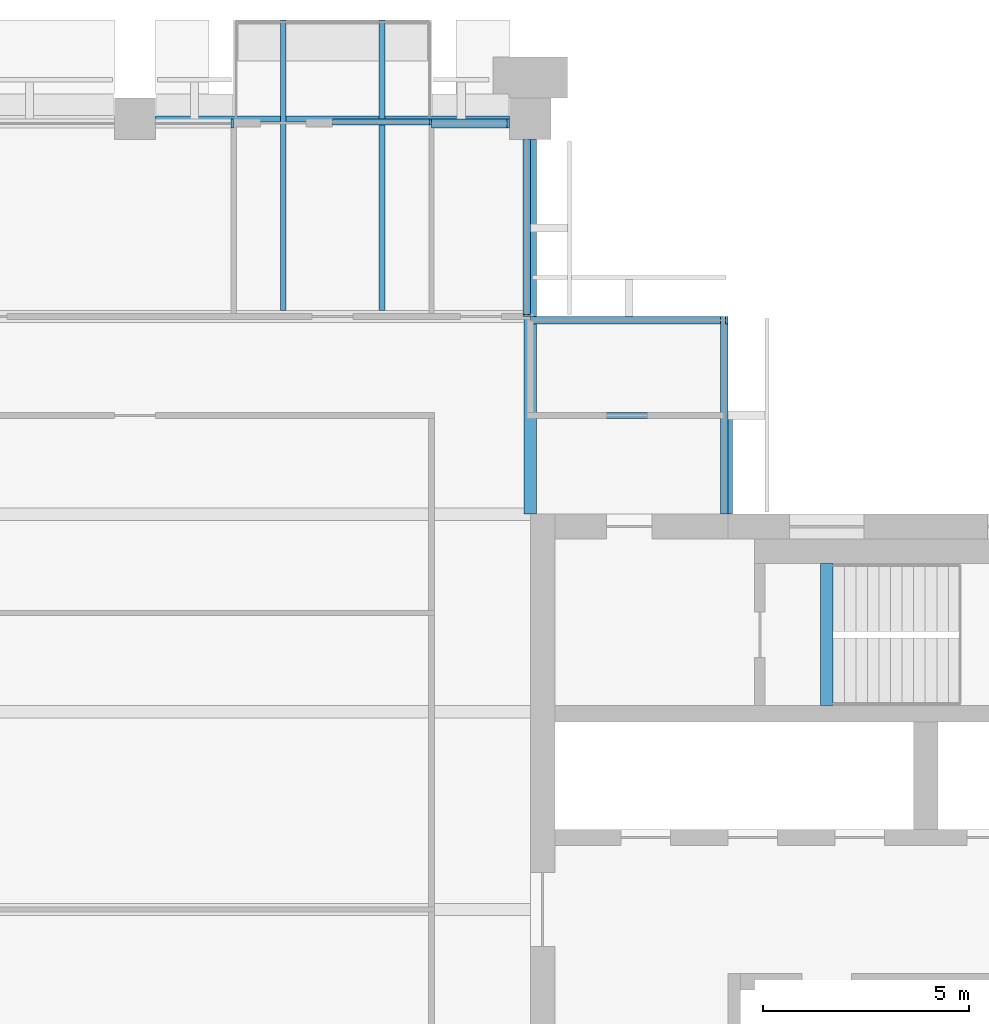
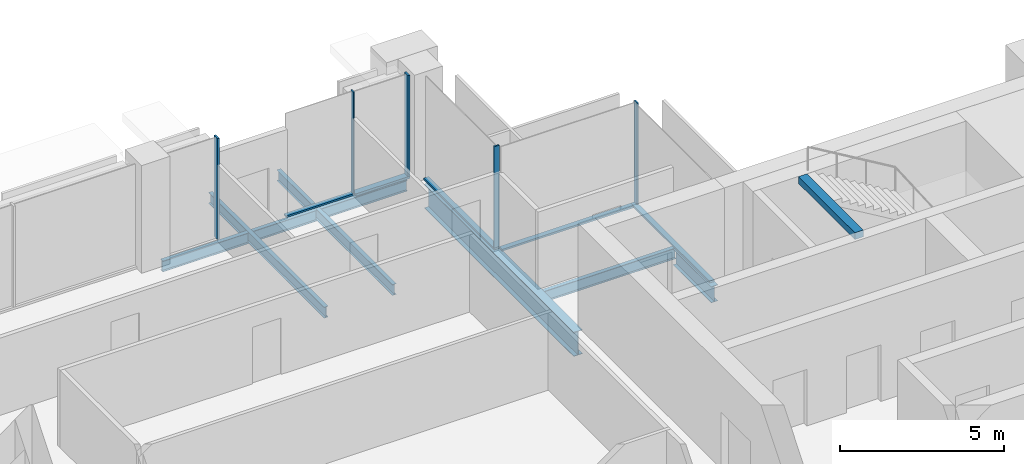
# One storey, part 6 of 13: 10 members, 9 beams, 6 elements without a shape of their own.
"""IFC4 building model written with IfcOpenShell, lengths in metres."""

from ifc_helpers import new_model, si_unit, direction, frame, origin, origin_2d, place, context, subcontext, project, spatial, rectangle, i_section, extrude, material, material_profile, profile_set, type_object, element, aggregate, save


model = new_model("IFC4")

# Units and contexts
model_context = context("Model", 3, precision=1e-05, world=origin(), true_north=direction((0.0, 1.0)))
body_context = subcontext(model_context, "Body", "Model", "MODEL_VIEW")
ifc_project = project(units=[si_unit("LENGTHUNIT", "METRE"), si_unit("AREAUNIT", "SQUARE_METRE"), si_unit("VOLUMEUNIT", "CUBIC_METRE"), si_unit("PLANEANGLEUNIT", "RADIAN"), si_unit("MASSUNIT", "GRAM", prefix="KILO")], contexts=[model_context])

# Site, building, storey
site_placement = place(None, origin())
site = spatial("IfcSite", under=ifc_project, at=site_placement, CompositionType="ELEMENT")
building_placement = place(site_placement, origin())
building = spatial("IfcBuilding", under=site, at=building_placement, Name="Baori Bourse Tower", CompositionType="ELEMENT")
storey_placement = place(building_placement, frame((0.0, 0.0, 326.300048828125)))
storey = spatial("IfcBuildingStorey", under=building, at=storey_placement, Name="L72", CompositionType="ELEMENT", Elevation=326.300048828125)

# Beams
ifc_material_1 = material(Name="Steel A992 Gr 50", Category="steel")
ifc_material_profile_1 = material_profile(ifc_material_1, i_section(OverallWidth=0.140380859375, OverallDepth=0.40380859375, WebThickness=0.007080078125, FlangeThickness=0.01123046875, at=origin_2d()), Name="W16x31")
ifc_profile_set_1 = profile_set([ifc_material_profile_1], Name="Steel A992 Gr 50")
beam_type_1 = type_object("IfcBeamType", Name="Balcony beam W16x31", PredefinedType="BEAM", material=ifc_profile_set_1)
for number, where, z_axis, x_axis, name in (
    (1, (32.39990234375, 50.39990234375, -0.362060546875), (0.0, -1.0, 0.0), (1.0, 0.0, 0.0), "Balcony beam L72"),
    (2, (34.800048828125, 50.39990234375, -0.362060546875), (0.0, -1.0, 0.0), (1.0, 0.0, 0.0), "Balcony beam L72"),
):
    element("IfcBeam", number, at=place(storey_placement, frame(where, z_axis=z_axis, x_axis=x_axis)), inside=storey, type_object=beam_type_1, Name=name, PredefinedType="BEAM", context=body_context, shape_type="SweptSolid", body=[
        extrude(i_section(OverallWidth=0.140380859375, OverallDepth=0.40380859375, WebThickness=0.007080078125, FlangeThickness=0.01123046875, at=origin_2d()), origin(), (0.0, 0.0, 1.0), 7.050048828125),
    ])

# Curtain wall, member
ifc_material_2 = material(Name="Pale anodised aluminium", Category="aluminium")
curtain_wall_type_1 = type_object("IfcCurtainWallType", Name="CW2 Curtain wall", PredefinedType="NOTDEFINED", material=ifc_material_2)
curtain_wall_1_placement = place(storey_placement, origin())
curtain_wall_1 = element("IfcCurtainWall", 3, at=curtain_wall_1_placement, inside=storey, type_object=curtain_wall_type_1, Name="Curtain wall CW2 L72 2", PredefinedType="NOTDEFINED")
ifc_material_3 = material(Name="Pale anodised aluminium", Category="aluminium")
ifc_material_profile_2 = material_profile(ifc_material_3, rectangle(XDim=0.179931640625, YDim=0.054931640625, at=origin_2d()), Name="Mullion 55x180")
ifc_profile_set_2 = profile_set([ifc_material_profile_2], Name="Pale anodised aluminium")
member_type_1 = type_object("IfcMemberType", Name="CW2 Curtain wall mullion", PredefinedType="MULLION", material=ifc_profile_set_2)
member_1_placement = place(storey_placement, frame((43.172607421875, 43.110107421875, 0.070068359375), z_axis=(0.0, 0.0, 1.0), x_axis=(0.0, -1.0, 0.0)))
member_1 = element("IfcMember", 4, at=member_1_placement, type_object=member_type_1, Name="Curtain wall CW2 mullion", PredefinedType="MULLION", context=body_context, shape_type="SweptSolid", body=[
    extrude(rectangle(XDim=0.179931640625, YDim=0.054931640625, at=origin_2d()), origin(), (0.0, 0.0, 1.0), 3.769775390625),
])

curtain_wall_2_placement = place(storey_placement, origin())
curtain_wall_2 = element("IfcCurtainWall", 5, at=curtain_wall_2_placement, inside=storey, type_object=curtain_wall_type_1, Name="Curtain wall CW2 L72 3", PredefinedType="NOTDEFINED")
member_2_placement = place(storey_placement, frame((38.31005859375, 43.2275390625, 0.070068359375), z_axis=(0.0, 0.0, 1.0), x_axis=(-1.0, 0.0, 0.0)))
member_2 = element("IfcMember", 6, at=member_2_placement, type_object=member_type_1, Name="Curtain wall CW2 mullion", PredefinedType="MULLION", context=body_context, shape_type="SweptSolid", body=[
    extrude(rectangle(XDim=0.179931640625, YDim=0.054931640625, at=origin_2d()), origin(), (0.0, 0.0, 1.0), 3.769775390625),
])

curtain_wall_3_placement = place(storey_placement, origin())
curtain_wall_3 = element("IfcCurtainWall", 7, at=curtain_wall_3_placement, inside=storey, type_object=curtain_wall_type_1, Name="Curtain wall CW2 L72 1", PredefinedType="NOTDEFINED")
ifc_material_4 = material(Name="Pale anodised aluminium", Category="aluminium")
ifc_material_profile_3 = material_profile(ifc_material_4, rectangle(XDim=0.179931640625, YDim=0.070068359375, at=origin_2d()), Name="Transom 70x180")
ifc_profile_set_3 = profile_set([ifc_material_profile_3], Name="Pale anodised aluminium")
member_type_2 = type_object("IfcMemberType", Name="CW2 Curtain wall transom", PredefinedType="USERDEFINED", material=ifc_profile_set_3)
member_3_placement = place(storey_placement, frame((43.110107421875, 38.39990234375, 0.034912109375), z_axis=(0.0, 1.0, 0.0), x_axis=(-1.0, 0.0, 0.0)))
member_3 = element("IfcMember", 8, at=member_3_placement, type_object=member_type_2, Name="Curtain wall CW2 sill rail", ObjectType="TRANSOM", PredefinedType="USERDEFINED", context=body_context, shape_type="SweptSolid", body=[
    extrude(rectangle(XDim=0.179931640625, YDim=0.070068359375, at=origin_2d()), origin(), (0.0, 0.0, 1.0), 4.800048828125),
])
aggregate(curtain_wall_3, [member_3])

# Member
member_4_placement = place(storey_placement, frame((43.199951171875, 43.110107421875, 0.034912109375), z_axis=(-1.0, 0.0, 0.0), x_axis=(0.0, -1.0, 0.0)))
member_4 = element("IfcMember", 9, at=member_4_placement, type_object=member_type_2, Name="Curtain wall CW2 sill rail", ObjectType="TRANSOM", PredefinedType="USERDEFINED", context=body_context, shape_type="SweptSolid", body=[
    extrude(rectangle(XDim=0.179931640625, YDim=0.070068359375, at=origin_2d()), origin(), (0.0, 0.0, 1.0), 4.800048828125),
])

aggregate(curtain_wall_1, [member_4, member_1])

member_5_placement = place(storey_placement, frame((38.31005859375, 43.199951171875, 0.034912109375), z_axis=(0.0, 1.0, 0.0), x_axis=(-1.0, 0.0, 0.0)))
member_5 = element("IfcMember", 10, at=member_5_placement, type_object=member_type_2, Name="Curtain wall CW2 sill rail", ObjectType="TRANSOM", PredefinedType="USERDEFINED", context=body_context, shape_type="SweptSolid", body=[
    extrude(rectangle(XDim=0.179931640625, YDim=0.070068359375, at=origin_2d()), origin(), (0.0, 0.0, 1.0), 4.300048828125),
])

aggregate(curtain_wall_2, [member_5, member_2])

# Curtain wall, member
ifc_material_5 = material(Name="Pale anodised aluminium", Category="aluminium")
curtain_wall_type_2 = type_object("IfcCurtainWallType", Name="CW5 Curtain wall", PredefinedType="NOTDEFINED", material=ifc_material_5)
curtain_wall_4_placement = place(storey_placement, origin())
curtain_wall_4 = element("IfcCurtainWall", 11, at=curtain_wall_4_placement, inside=storey, type_object=curtain_wall_type_2, Name="Curtain wall CW5 L72 4", PredefinedType="NOTDEFINED")
ifc_material_6 = material(Name="Pale anodised aluminium", Category="aluminium")
ifc_material_profile_4 = material_profile(ifc_material_6, rectangle(XDim=0.219970703125, YDim=0.06494140625, at=origin_2d()), Name="Mullion 65x220")
ifc_profile_set_4 = profile_set([ifc_material_profile_4], Name="Pale anodised aluminium")
member_type_3 = type_object("IfcMemberType", Name="CW5 Curtain wall mullion", PredefinedType="MULLION", material=ifc_profile_set_4)
member_6_placement = place(storey_placement, frame((37.867431640625, 47.889892578125, 0.0849609375), z_axis=(0.0, 0.0, 1.0), x_axis=(0.0, -1.0, 0.0)))
member_6 = element("IfcMember", 12, at=member_6_placement, type_object=member_type_3, Name="Curtain wall CW5 mullion", PredefinedType="MULLION", context=body_context, shape_type="SweptSolid", body=[
    extrude(rectangle(XDim=0.219970703125, YDim=0.06494140625, at=origin_2d()), origin(), (0.0, 0.0, 1.0), 3.7548828125),
])

curtain_wall_5_placement = place(storey_placement, origin())
curtain_wall_5 = element("IfcCurtainWall", 13, at=curtain_wall_5_placement, inside=storey, type_object=curtain_wall_type_2, Name="Curtain wall CW5 L72 6", PredefinedType="NOTDEFINED")
member_7_placement = place(storey_placement, frame((31.16748046875, 47.889892578125, 0.0849609375), z_axis=(0.0, 0.0, 1.0), x_axis=(0.0, -1.0, 0.0)))
member_7 = element("IfcMember", 14, at=member_7_placement, type_object=member_type_3, Name="Curtain wall CW5 mullion", PredefinedType="MULLION", context=body_context, shape_type="SweptSolid", body=[
    extrude(rectangle(XDim=0.219970703125, YDim=0.06494140625, at=origin_2d()), origin(), (0.0, 0.0, 1.0), 3.7548828125),
])
aggregate(curtain_wall_5, [member_7])

# Member
ifc_material_7 = material(Name="Pale anodised aluminium", Category="aluminium")
ifc_material_profile_5 = material_profile(ifc_material_7, rectangle(XDim=0.219970703125, YDim=0.0849609375, at=origin_2d()), Name="Transom 85x220")
ifc_profile_set_5 = profile_set([ifc_material_profile_5], Name="Pale anodised aluminium")
member_type_4 = type_object("IfcMemberType", Name="CW5 Curtain wall transom", PredefinedType="USERDEFINED", material=ifc_profile_set_5)
member_8_placement = place(storey_placement, frame((37.89990234375, 47.889892578125, 0.04248046875), z_axis=(-1.0, 0.0, 0.0), x_axis=(0.0, -1.0, 0.0)))
member_8 = element("IfcMember", 15, at=member_8_placement, type_object=member_type_4, Name="Curtain wall CW5 sill rail", ObjectType="TRANSOM", PredefinedType="USERDEFINED", context=body_context, shape_type="SweptSolid", body=[
    extrude(rectangle(XDim=0.219970703125, YDim=0.0849609375, at=origin_2d()), origin(), (0.0, 0.0, 1.0), 1.89990234375),
])

aggregate(curtain_wall_4, [member_8, member_6])

# Curtain wall, members
ifc_material_8 = material(Name="Pale anodised aluminium", Category="aluminium")
curtain_wall_type_3 = type_object("IfcCurtainWallType", Name="CW6 Curtain wall", PredefinedType="NOTDEFINED", material=ifc_material_8)
curtain_wall_6_placement = place(storey_placement, origin())
curtain_wall_6 = element("IfcCurtainWall", 16, at=curtain_wall_6_placement, inside=storey, type_object=curtain_wall_type_3, Name="Curtain wall CW6 L72 5", PredefinedType="NOTDEFINED")
ifc_material_9 = material(Name="Pale anodised aluminium", Category="aluminium")
ifc_material_profile_6 = material_profile(ifc_material_9, rectangle(XDim=0.14990234375, YDim=0.050048828125, at=origin_2d()), Name="Mullion 50x150")
ifc_profile_set_6 = profile_set([ifc_material_profile_6], Name="Pale anodised aluminium")
member_type_5 = type_object("IfcMemberType", Name="CW6 Curtain wall mullion", PredefinedType="MULLION", material=ifc_profile_set_6)
member_9_placement = place(storey_placement, frame((35.97509765625, 47.925048828125, 0.06494140625), z_axis=(0.0, 0.0, 1.0), x_axis=(0.0, -1.0, 0.0)))
member_9 = element("IfcMember", 17, at=member_9_placement, type_object=member_type_5, Name="Curtain wall CW6 mullion", PredefinedType="MULLION", context=body_context, shape_type="SweptSolid", body=[
    extrude(rectangle(XDim=0.14990234375, YDim=0.050048828125, at=origin_2d()), origin(), (0.0, 0.0, 1.0), 3.77490234375),
])
ifc_material_10 = material(Name="Pale anodised aluminium", Category="aluminium")
ifc_material_profile_7 = material_profile(ifc_material_10, rectangle(XDim=0.14990234375, YDim=0.06494140625, at=origin_2d()), Name="Transom 65x150")
ifc_profile_set_7 = profile_set([ifc_material_profile_7], Name="Pale anodised aluminium")
member_type_6 = type_object("IfcMemberType", Name="CW6 Curtain wall transom", PredefinedType="USERDEFINED", material=ifc_profile_set_7)
member_10_placement = place(storey_placement, frame((36.0, 47.925048828125, 0.032470703125), z_axis=(-1.0, 0.0, 0.0), x_axis=(0.0, -1.0, 0.0)))
member_10 = element("IfcMember", 18, at=member_10_placement, type_object=member_type_6, Name="Curtain wall CW6 sill rail", ObjectType="TRANSOM", PredefinedType="USERDEFINED", context=body_context, shape_type="SweptSolid", body=[
    extrude(rectangle(XDim=0.14990234375, YDim=0.06494140625, at=origin_2d()), origin(), (0.0, 0.0, 1.0), 2.39990234375),
])
aggregate(curtain_wall_6, [member_10, member_9])

# Beams
ifc_material_11 = material(Name="Steel A992 Gr 50", Category="steel")
ifc_material_profile_8 = material_profile(ifc_material_11, i_section(OverallWidth=0.227783203125, OverallDepth=0.60205078125, WebThickness=0.010498046875, FlangeThickness=0.014892578125, at=origin_2d()), Name="W24x68")
ifc_profile_set_8 = profile_set([ifc_material_profile_8], Name="Steel A992 Gr 50")
beam_type_2 = type_object("IfcBeamType", Name="Core bracket W24x68", PredefinedType="BEAM", material=ifc_profile_set_8)
beam_1_placement = place(storey_placement, frame((43.199951171875, 38.39990234375, -0.4609375), z_axis=(0.0, 1.0, 0.0), x_axis=(-1.0, 0.0, 0.0)))
element("IfcBeam", 19, at=beam_1_placement, inside=storey, type_object=beam_type_2, Name="Core bracket L72", PredefinedType="BEAM", context=body_context, shape_type="SweptSolid", body=[
    extrude(i_section(OverallWidth=0.227783203125, OverallDepth=0.60205078125, WebThickness=0.010498046875, FlangeThickness=0.014892578125, at=origin_2d()), origin(), (0.0, 0.0, 1.0), 2.329833984375),
])
ifc_material_12 = material(Name="Steel A992 Gr 50", Category="steel")
ifc_material_profile_9 = material_profile(ifc_material_12, i_section(OverallWidth=0.140380859375, OverallDepth=0.40380859375, WebThickness=0.007080078125, FlangeThickness=0.01123046875, at=origin_2d()), Name="W16x31")
ifc_profile_set_9 = profile_set([ifc_material_profile_9], Name="Steel A992 Gr 50")
beam_type_3 = type_object("IfcBeamType", Name="Edge beam W16x31", PredefinedType="BEAM", material=ifc_profile_set_9)
beam_2_placement = place(storey_placement, frame((29.300048828125, 48.0, -0.362060546875), z_axis=(1.0, 0.0, 0.0), x_axis=(0.0, 1.0, 0.0)))
element("IfcBeam", 20, at=beam_2_placement, inside=storey, type_object=beam_type_3, Name="Edge beam L72", PredefinedType="BEAM", context=body_context, shape_type="SweptSolid", body=[
    extrude(i_section(OverallWidth=0.140380859375, OverallDepth=0.40380859375, WebThickness=0.007080078125, FlangeThickness=0.01123046875, at=origin_2d()), origin(), (0.0, 0.0, 1.0), 3.02978515625),
])
beam_3_placement = place(storey_placement, frame((32.47021484375, 48.0, -0.362060546875), z_axis=(1.0, 0.0, 0.0), x_axis=(0.0, 1.0, 0.0)))
element("IfcBeam", 21, at=beam_3_placement, inside=storey, type_object=beam_type_3, Name="Edge beam L72", PredefinedType="BEAM", context=body_context, shape_type="SweptSolid", body=[
    extrude(i_section(OverallWidth=0.140380859375, OverallDepth=0.40380859375, WebThickness=0.007080078125, FlangeThickness=0.01123046875, at=origin_2d()), origin(), (0.0, 0.0, 1.0), 2.259521484375),
])
beam_4_placement = place(storey_placement, frame((34.8701171875, 48.0, -0.362060546875), z_axis=(1.0, 0.0, 0.0), x_axis=(0.0, 1.0, 0.0)))
element("IfcBeam", 22, at=beam_4_placement, inside=storey, type_object=beam_type_3, Name="Edge beam L72", PredefinedType="BEAM", context=body_context, shape_type="SweptSolid", body=[
    extrude(i_section(OverallWidth=0.140380859375, OverallDepth=0.40380859375, WebThickness=0.007080078125, FlangeThickness=0.01123046875, at=origin_2d()), origin(), (0.0, 0.0, 1.0), 3.02978515625),
])
ifc_material_13 = material(Name="Steel A992 Gr 50", Category="steel")
ifc_material_profile_10 = material_profile(ifc_material_13, i_section(OverallWidth=0.3046875, OverallDepth=0.904296875, WebThickness=0.01513671875, FlangeThickness=0.02001953125, at=origin_2d()), Name="W36x135")
ifc_profile_set_10 = profile_set([ifc_material_profile_10], Name="Steel A992 Gr 50")
beam_type_4 = type_object("IfcBeamType", Name="Girder W36x135", PredefinedType="BEAM", material=ifc_profile_set_10)
beam_5_placement = place(storey_placement, frame((38.39990234375, 38.39990234375, -0.612060546875), z_axis=(0.0, 1.0, 0.0), x_axis=(-1.0, 0.0, 0.0)))
element("IfcBeam", 23, at=beam_5_placement, inside=storey, type_object=beam_type_4, Name="Girder L72", PredefinedType="BEAM", context=body_context, shape_type="SweptSolid", body=[
    extrude(i_section(OverallWidth=0.3046875, OverallDepth=0.904296875, WebThickness=0.01513671875, FlangeThickness=0.02001953125, at=origin_2d()), origin(), (0.0, 0.0, 1.0), 9.10009765625),
])
ifc_material_14 = material(Name="Concrete f'c 50 MPa", Category="concrete")
ifc_material_profile_11 = material_profile(ifc_material_14, rectangle(XDim=0.300048828125, YDim=0.25, at=origin_2d()), Name="RC 300x250")
ifc_profile_set_11 = profile_set([ifc_material_profile_11], Name="Concrete f'c 50 MPa")
beam_type_5 = type_object("IfcBeamType", Name="Stair nib beam RC 300x250", PredefinedType="BEAM", material=ifc_profile_set_11)
beam_6_placement = place(storey_placement, frame((45.60009765625, 33.75, 3.71484375), z_axis=(0.0, 1.0, 0.0), x_axis=(-1.0, 0.0, 0.0)))
element("IfcBeam", 24, at=beam_6_placement, inside=storey, type_object=beam_type_5, Name="Stair EB nib beam L73", PredefinedType="BEAM", context=body_context, shape_type="SweptSolid", body=[
    extrude(rectangle(XDim=0.300048828125, YDim=0.25, at=origin_2d()), origin(), (0.0, 0.0, 1.0), 3.449951171875),
])
ifc_material_15 = material(Name="Steel A992 Gr 50", Category="steel")
ifc_material_profile_12 = material_profile(ifc_material_15, i_section(OverallWidth=0.140380859375, OverallDepth=0.40380859375, WebThickness=0.007080078125, FlangeThickness=0.01123046875, at=origin_2d()), Name="W16x31")
ifc_profile_set_12 = profile_set([ifc_material_profile_12], Name="Steel A992 Gr 50")
beam_type_6 = type_object("IfcBeamType", Name="Trimmer beam W16x31", PredefinedType="BEAM", material=ifc_profile_set_12)
beam_7_placement = place(storey_placement, frame((38.552490234375, 40.800048828125, -0.362060546875), z_axis=(1.0, 0.0, 0.0), x_axis=(0.0, 1.0, 0.0)))
element("IfcBeam", 25, at=beam_7_placement, inside=storey, type_object=beam_type_6, Name="Trimmer beam L72", PredefinedType="BEAM", context=body_context, shape_type="SweptSolid", body=[
    extrude(i_section(OverallWidth=0.140380859375, OverallDepth=0.40380859375, WebThickness=0.007080078125, FlangeThickness=0.01123046875, at=origin_2d()), origin(), (0.0, 0.0, 1.0), 4.6474609375),
])

save(model, "model.ifc")
